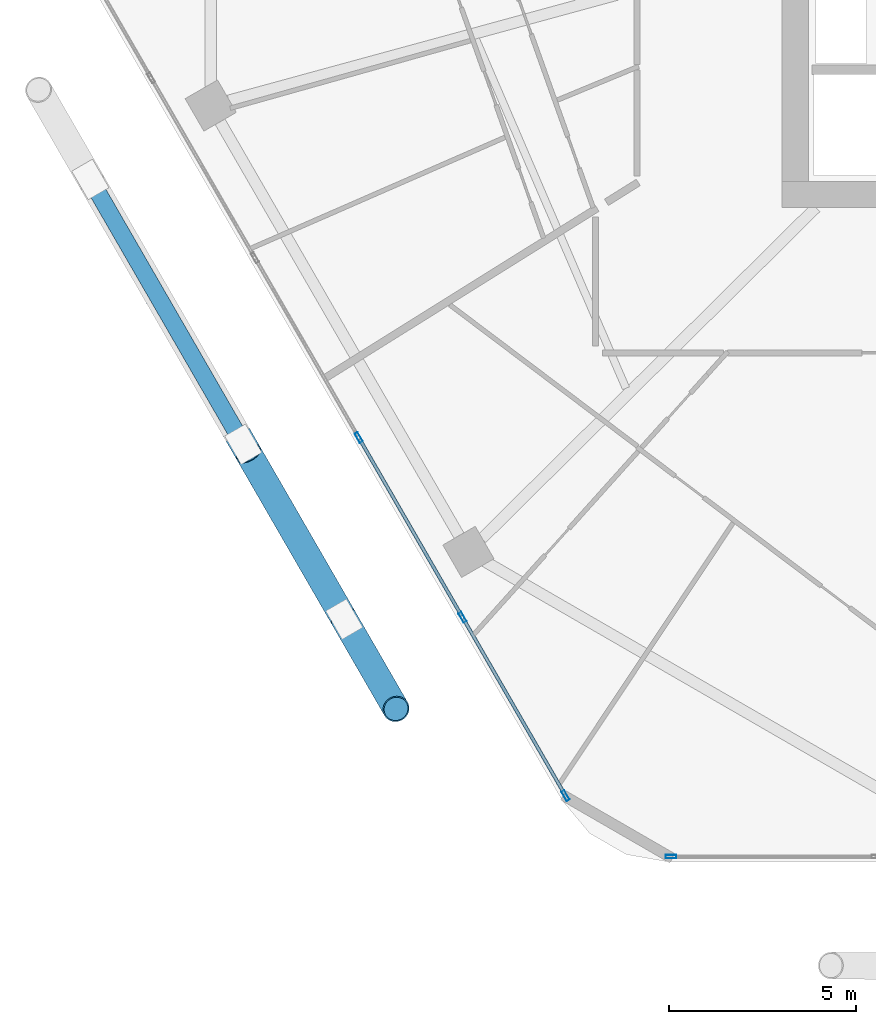
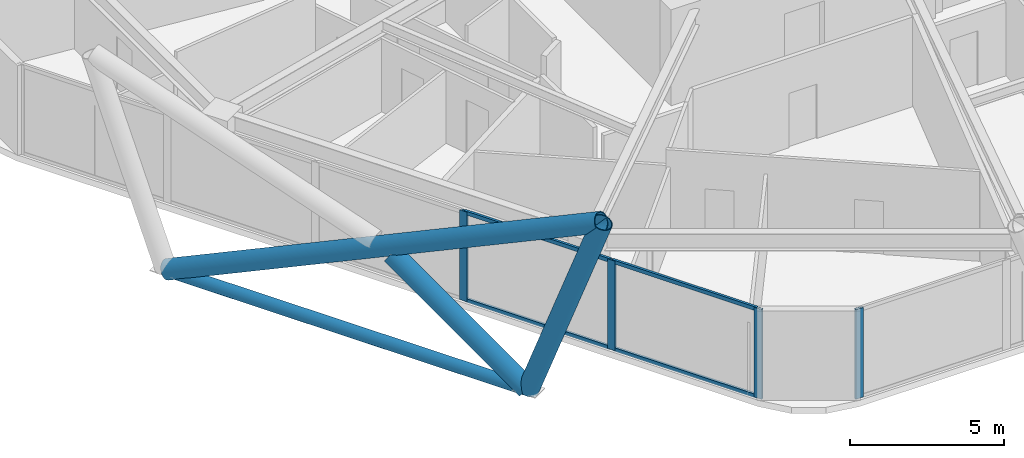
# One storey, part 2 of 28: 12 members, 2 elements without a shape of their own.
"""IFC4 building model written with IfcOpenShell, lengths in metres."""

import ifcopenshell
import ifcopenshell.guid

model = None  # the IFC model being written
_history = None  # IfcOwnerHistory: only IFC2X3 demands one
_inside = {}  # id of a spatial element -> (the spatial element, [elements in it])
_under = {}  # id of a project, library or spatial element -> (it, [spatial elements below it])
_declared = {}  # id of a project -> (the project, [libraries it declares])
_typed = {}  # id of a type object -> (the type object, [elements of that type])
_made_of = {}  # id of a material, layer set ... -> (it, [elements and type objects made of it])


def new_model(schema):
    """Start an empty IFC model of exactly this schema.

    Asked for "IFC4X3", IfcOpenShell would pick the latest addendum, in which some entities
    have other attributes; the version numbers below select the first issue.
    IFC2X3 requires an IfcOwnerHistory on every rooted entity: one is made here for all.
    """
    global model, _history
    if schema == "IFC4X3":
        model = ifcopenshell.file(schema_version=(4, 3, 0, 0))
    else:
        model = ifcopenshell.file(schema=schema)
    _inside.clear()
    _under.clear()
    _declared.clear()
    _typed.clear()
    _made_of.clear()
    _history = None
    if model.schema == "IFC2X3":
        org = make("IfcOrganization", Name="unknown")
        user = make(
            "IfcPersonAndOrganization",
            ThePerson=make("IfcPerson", FamilyName="unknown"),
            TheOrganization=org,
        )
        app = make(
            "IfcApplication",
            ApplicationDeveloper=org,
            Version="unknown",
            ApplicationFullName="unknown",
            ApplicationIdentifier="unknown",
        )
        _history = make(
            "IfcOwnerHistory",
            OwningUser=user,
            OwningApplication=app,
            ChangeAction="ADDED",
            CreationDate=0,
        )
    return model


def make(cls, **values):
    """One entity of the class cls with the attributes given. An attribute that is None is left unset."""
    return model.create_entity(
        cls, **{name: value for name, value in values.items() if value is not None}
    )


def rooted(cls, **values):
    """An entity with a GlobalId (a new one), such as an element, a storey or a relation."""
    return make(cls, GlobalId=ifcopenshell.guid.new(), OwnerHistory=_history, **values)


def si_unit(unit_type, name, prefix=None):
    """IfcSIUnit, for example si_unit("LENGTHUNIT", "METRE", prefix="MILLI")."""
    return make("IfcSIUnit", UnitType=unit_type, Prefix=prefix, Name=name)


def assignment(units):
    """IfcUnitAssignment: the units of a project."""
    return None if units is None else make("IfcUnitAssignment", Units=units)


def point(xyz):
    """IfcCartesianPoint."""
    return None if xyz is None else make("IfcCartesianPoint", Coordinates=xyz)


def direction(xyz):
    """IfcDirection."""
    return None if xyz is None else make("IfcDirection", DirectionRatios=xyz)


def frame(location, z_axis=None, x_axis=None):
    """IfcAxis2Placement3D, a coordinate frame: its origin and axes. An axis left out is left unset."""
    return make(
        "IfcAxis2Placement3D",
        Location=point(location),
        Axis=direction(z_axis),
        RefDirection=direction(x_axis),
    )


def frame_2d(location, x_axis=None):
    """IfcAxis2Placement2D, a coordinate frame in the plane: its origin and x axis."""
    return make(
        "IfcAxis2Placement2D", Location=point(location), RefDirection=direction(x_axis)
    )


def origin():
    """The frame at (0, 0, 0) with its axes left unset."""
    return frame((0.0, 0.0, 0.0))


def origin_2d():
    """The frame at (0, 0) in the plane with its x axis left unset."""
    return frame_2d((0.0, 0.0))


def place(relative_to, where):
    """IfcLocalPlacement: puts the frame where relative to a parent placement (None: the world)."""
    return make(
        "IfcLocalPlacement", PlacementRelTo=relative_to, RelativePlacement=where
    )


def context(
    kind, dimensions, precision=None, world=None, true_north=None, identifier=None
):
    """IfcGeometricRepresentationContext, for example the 3D "Model" context."""
    return make(
        "IfcGeometricRepresentationContext",
        ContextIdentifier=identifier,
        ContextType=kind,
        CoordinateSpaceDimension=dimensions,
        Precision=precision,
        WorldCoordinateSystem=world,
        TrueNorth=true_north,
    )


def subcontext(parent, identifier, kind, view, scale=None):
    """IfcGeometricRepresentationSubContext, for example "Body" below "Model"."""
    return make(
        "IfcGeometricRepresentationSubContext",
        ContextIdentifier=identifier,
        ContextType=kind,
        ParentContext=parent,
        TargetScale=scale,
        TargetView=view,
    )


def project(units=None, contexts=None):
    """IfcProject with its units and contexts."""
    return rooted(
        "IfcProject",
        Name="project",
        RepresentationContexts=contexts,
        UnitsInContext=assignment(units),
    )


def spatial(cls, under=None, at=None, **own):
    """A site, building, storey or space (cls), placed at a placement, below another one or the project."""
    s = rooted(cls, ObjectPlacement=at, **own)
    if under is not None:
        _under.setdefault(under.id(), (under, []))[1].append(s)
    return s


def profile(cls, at=None, kind="AREA", **sizes):
    """A parametric profile (cls). Its sizes go by their IFC names, for example OverallWidth=200.0."""
    return make(cls, ProfileType=kind, Position=at, **sizes)


def hollow_rectangle(**sizes):
    """IfcRectangleHollowProfileDef."""
    return profile("IfcRectangleHollowProfileDef", **sizes)


def hollow_circle(**sizes):
    """IfcCircleHollowProfileDef."""
    return profile("IfcCircleHollowProfileDef", **sizes)


def extrude(swept, where, along, depth):
    """IfcExtrudedAreaSolid: the profile swept, set in the frame where, extruded along a direction by depth."""
    return make(
        "IfcExtrudedAreaSolid",
        SweptArea=swept,
        Position=where,
        ExtrudedDirection=direction(along),
        Depth=depth,
    )


def shape(context_of_items, identifier, shape_type, items):
    """IfcShapeRepresentation: the items that make up one representation, for example the "Body"."""
    return make(
        "IfcShapeRepresentation",
        ContextOfItems=context_of_items,
        RepresentationIdentifier=identifier,
        RepresentationType=shape_type,
        Items=items,
    )


def material(Name=None, Category=None):
    """IfcMaterial."""
    return make("IfcMaterial", Name=Name, Category=Category)


def material_profile(
    of_material, cross_section, Name=None, Category=None, Priority=None
):
    """IfcMaterialProfile: a cross section and its material."""
    return make(
        "IfcMaterialProfile",
        Name=Name,
        Material=of_material,
        Profile=cross_section,
        Priority=Priority,
        Category=Category,
    )


def profile_set(profiles, Name=None, composite=None):
    """IfcMaterialProfileSet."""
    return make(
        "IfcMaterialProfileSet",
        Name=Name,
        MaterialProfiles=profiles,
        CompositeProfile=composite,
    )


def made_of(thing, what):
    """Note that an element or type object is made of a material, layer set ...; save() writes the relation."""
    if what is not None:
        _made_of.setdefault(what.id(), (what, []))[1].append(thing)
    return thing


def type_object(cls, material=None, **own):
    """A type object (cls), such as IfcWallType, which elements share."""
    return made_of(rooted(cls, **own), material)


def element(
    cls,
    number,
    at=None,
    inside=None,
    cuts=None,
    type_object=None,
    material=None,
    context=None,
    identifier="Body",
    shape_type=None,
    held_by="IfcProductDefinitionShape",
    body=None,
    shapes=None,
    **own,
):
    """One element of the class cls, such as IfcWall. Its Tag is "e" and its number.

    at: its placement. inside: the storey or other place that contains it. cuts: it is an
    opening in that element (IfcRelVoidsElement). A single representation is given by context,
    identifier, shape_type and body (its items); several are given by shapes. held_by: the class
    of the entity that holds the representations. save() writes the other relations.
    """
    e = rooted(cls, Tag="e%d" % number, ObjectPlacement=at, **own)
    if body is not None:
        shapes = [shape(context, identifier, shape_type, body)]
    if shapes is not None:
        e.Representation = make(held_by, Representations=shapes)
    if inside is not None:
        _inside.setdefault(inside.id(), (inside, []))[1].append(e)
    if cuts is not None:
        rooted(
            "IfcRelVoidsElement", RelatingBuildingElement=cuts, RelatedOpeningElement=e
        )
    if type_object is not None:
        _typed.setdefault(type_object.id(), (type_object, []))[1].append(e)
    return made_of(e, material)


def aggregate(whole, parts):
    """IfcRelAggregates: a whole, such as a stair, and the parts it consists of."""
    return rooted("IfcRelAggregates", RelatingObject=whole, RelatedObjects=parts)


def save(model, path):
    """Write the relations noted so far, then the file.

    IfcRelAggregates (storeys below a building ...), IfcRelContainedInSpatialStructure (elements
    in a storey), IfcRelDefinesByType, IfcRelAssociatesMaterial and IfcRelDeclares: one each for
    every whole, place, type object, material and project.
    """
    for whole, parts in _under.values():
        aggregate(whole, parts)
    for where, things in _inside.values():
        rooted(
            "IfcRelContainedInSpatialStructure",
            RelatedElements=things,
            RelatingStructure=where,
        )
    for kind, things in _typed.values():
        rooted("IfcRelDefinesByType", RelatedObjects=things, RelatingType=kind)
    for what, things in _made_of.values():
        rooted("IfcRelAssociatesMaterial", RelatedObjects=things, RelatingMaterial=what)
    for by, libraries in _declared.values():
        rooted("IfcRelDeclares", RelatingContext=by, RelatedDefinitions=libraries)
    model.write(path)


model = new_model("IFC4")

# Units and contexts
model_context = context("Model", 3, precision=1e-05, world=origin(), true_north=direction((0.0, 1.0)))
body_context = subcontext(model_context, "Body", "Model", "MODEL_VIEW")
ifc_project = project(units=[si_unit("LENGTHUNIT", "METRE"), si_unit("AREAUNIT", "SQUARE_METRE"), si_unit("VOLUMEUNIT", "CUBIC_METRE"), si_unit("PLANEANGLEUNIT", "RADIAN"), si_unit("MASSUNIT", "GRAM", prefix="KILO")], contexts=[model_context])

# Site, building, storey
site_placement = place(None, origin())
site = spatial("IfcSite", under=ifc_project, at=site_placement, CompositionType="ELEMENT")
building_placement = place(site_placement, origin())
building = spatial("IfcBuilding", under=site, at=building_placement, Name="Zuhravey Tower", CompositionType="ELEMENT")
storey_placement = place(building_placement, frame((0.0, 0.0, 154.199951171875)))
storey = spatial("IfcBuildingStorey", under=building, at=storey_placement, Name="L38", CompositionType="ELEMENT", Elevation=154.199951171875)

# Curtain wall, member
ifc_material_1 = material(Name="Thermally broken anodised aluminium", Category="aluminium")
curtain_wall_type = type_object("IfcCurtainWallType", Name="Zone 1-2 Residential Curtain Wall CW3", PredefinedType="NOTDEFINED", material=ifc_material_1)
curtain_wall_1_placement = place(storey_placement, origin())
curtain_wall_1 = element("IfcCurtainWall", 1, at=curtain_wall_1_placement, inside=storey, type_object=curtain_wall_type, Name="L38 CW3 CW-L38-F5-1", PredefinedType="NOTDEFINED")
ifc_material_2 = material(Name="Anodised aluminium", Category="aluminium")
ifc_material_profile_1 = material_profile(ifc_material_2, hollow_rectangle(XDim=0.090087890625, YDim=0.284912109375, WallThickness=0.0048828125, at=origin_2d()), Name="ALU-RHS-90x285x5")
ifc_profile_set_1 = profile_set([ifc_material_profile_1], Name="Anodised aluminium")
member_type_1 = type_object("IfcMemberType", Name="Curtain-Wall Mullion 90x180", PredefinedType="MULLION", material=ifc_profile_set_1)
member_1_placement = place(storey_placement, frame((22.183837890625, 4.81689453125, 0.0), z_axis=(0.0, 0.0, 1.0), x_axis=(0.0, -1.0, 0.0)))
member_1 = element("IfcMember", 2, at=member_1_placement, type_object=member_type_1, Name="CW3 mullion 6", PredefinedType="MULLION", context=body_context, shape_type="SweptSolid", body=[
    extrude(hollow_rectangle(XDim=0.090087890625, YDim=0.284912109375, WallThickness=0.0048828125, at=origin_2d()), origin(), (0.0, 0.0, 1.0), 3.550048828125),
])
aggregate(curtain_wall_1, [member_1])

# Curtain wall, members
curtain_wall_2_placement = place(storey_placement, origin())
curtain_wall_2 = element("IfcCurtainWall", 3, at=curtain_wall_2_placement, inside=storey, type_object=curtain_wall_type, Name="L38 CW3 CW-L38-F4-1", PredefinedType="NOTDEFINED")
member_2_placement = place(storey_placement, frame((19.36669921875, 6.443359375, 0.0), z_axis=(0.0, 0.0, 1.0), x_axis=(-0.866025138215, -0.500000459979, 0.0)))
member_2 = element("IfcMember", 4, at=member_2_placement, type_object=member_type_1, Name="CW3 mullion 1", PredefinedType="MULLION", context=body_context, shape_type="SweptSolid", body=[
    extrude(hollow_rectangle(XDim=0.090087890625, YDim=0.284912109375, WallThickness=0.0048828125, at=origin_2d()), origin(), (0.0, 0.0, 1.0), 3.550048828125),
])
member_3_placement = place(storey_placement, frame((16.6171875, 11.2060546875, 0.0), z_axis=(0.0, 0.0, 1.0), x_axis=(-0.866025138215, -0.500000459979, 0.0)))
member_3 = element("IfcMember", 5, at=member_3_placement, type_object=member_type_1, Name="CW3 mullion 2", PredefinedType="MULLION", context=body_context, shape_type="SweptSolid", body=[
    extrude(hollow_rectangle(XDim=0.090087890625, YDim=0.284912109375, WallThickness=0.0048828125, at=origin_2d()), origin(), (0.0, 0.0, 1.0), 3.550048828125),
])
member_4_placement = place(storey_placement, frame((13.844970703125, 16.007568359375, 0.0), z_axis=(0.0, 0.0, 1.0), x_axis=(-0.866025138215, -0.500000459979, 0.0)))
member_4 = element("IfcMember", 6, at=member_4_placement, type_object=member_type_1, Name="CW3 mullion 3", PredefinedType="MULLION", context=body_context, shape_type="SweptSolid", body=[
    extrude(hollow_rectangle(XDim=0.090087890625, YDim=0.284912109375, WallThickness=0.0048828125, at=origin_2d()), origin(), (0.0, 0.0, 1.0), 3.550048828125),
])
ifc_material_profile_2 = material_profile(ifc_material_2, hollow_rectangle(XDim=0.090087890625, YDim=0.14990234375, WallThickness=0.0048828125, at=origin_2d()), Name="ALU-RHS-90x150x5")
ifc_profile_set_2 = profile_set([ifc_material_profile_2], Name="Anodised aluminium")
member_type_2 = type_object("IfcMemberType", Name="Curtain-Wall Transom 90x150", PredefinedType="USERDEFINED", material=ifc_profile_set_2)
member_5_placement = place(storey_placement, frame((19.34423828125, 6.482421875, 0.045166015625), z_axis=(-0.499993332629, 0.866029253159, 0.0), x_axis=(-0.866029253159, -0.499993332629, 0.0)))
member_5 = element("IfcMember", 7, at=member_5_placement, type_object=member_type_2, Name="CW3 transom 1.1", ObjectType="TRANSOM", PredefinedType="USERDEFINED", context=body_context, shape_type="SweptSolid", body=[
    extrude(hollow_rectangle(XDim=0.090087890625, YDim=0.14990234375, WallThickness=0.0048828125, at=origin_2d()), origin(), (0.0, 0.0, 1.0), 5.4091796875),
])
member_6_placement = place(storey_placement, frame((19.34423828125, 6.482421875, 3.505126953125), z_axis=(-0.499993332629, 0.866029253159, 0.0), x_axis=(-0.866029253159, -0.499993332629, 0.0)))
member_6 = element("IfcMember", 8, at=member_6_placement, type_object=member_type_2, Name="CW3 transom 1.2", ObjectType="TRANSOM", PredefinedType="USERDEFINED", context=body_context, shape_type="SweptSolid", body=[
    extrude(hollow_rectangle(XDim=0.090087890625, YDim=0.14990234375, WallThickness=0.0048828125, at=origin_2d()), origin(), (0.0, 0.0, 1.0), 5.4091796875),
])
member_7_placement = place(storey_placement, frame((16.594482421875, 11.244873046875, 0.045166015625), z_axis=(-0.49996138257, 0.86604769842, 0.0), x_axis=(-0.86604769842, -0.49996138257, 0.0)))
member_7 = element("IfcMember", 9, at=member_7_placement, type_object=member_type_2, Name="CW3 transom 2.1", ObjectType="TRANSOM", PredefinedType="USERDEFINED", context=body_context, shape_type="SweptSolid", body=[
    extrude(hollow_rectangle(XDim=0.090087890625, YDim=0.14990234375, WallThickness=0.0048828125, at=origin_2d()), origin(), (0.0, 0.0, 1.0), 5.45458984375),
])
member_8_placement = place(storey_placement, frame((16.594482421875, 11.244873046875, 3.505126953125), z_axis=(-0.49996138257, 0.86604769842, 0.0), x_axis=(-0.86604769842, -0.49996138257, 0.0)))
member_8 = element("IfcMember", 10, at=member_8_placement, type_object=member_type_2, Name="CW3 transom 2.2", ObjectType="TRANSOM", PredefinedType="USERDEFINED", context=body_context, shape_type="SweptSolid", body=[
    extrude(hollow_rectangle(XDim=0.090087890625, YDim=0.14990234375, WallThickness=0.0048828125, at=origin_2d()), origin(), (0.0, 0.0, 1.0), 5.45458984375),
])
aggregate(curtain_wall_2, [member_2, member_3, member_4, member_5, member_6, member_7, member_8])

# Members
ifc_material_3 = material(Name="Steel SM355", Category="steel")
ifc_material_profile_3 = material_profile(ifc_material_3, hollow_circle(Radius=0.228515625, WallThickness=0.02197265625, at=origin_2d()), Name="CHS-457.2x22")
ifc_profile_set_3 = profile_set([ifc_material_profile_3], Name="Steel SM355")
member_type_3 = type_object("IfcMemberType", Name="Exoskeleton Ring Tie CHS457x22", PredefinedType="CHORD", material=ifc_profile_set_3)
member_9_placement = place(storey_placement, frame((6.748046875, 22.779541015625, -0.4638671875), z_axis=(0.500004091344, -0.866023041633, 0.0), x_axis=(0.866023041633, 0.500004091344, 0.0)))
element("IfcMember", 11, at=member_9_placement, inside=storey, type_object=member_type_3, Name="L38 Exoskeleton Face 4 Tie EXR1", PredefinedType="CHORD", context=body_context, shape_type="SweptSolid", body=[
    extrude(hollow_circle(Radius=0.228515625, WallThickness=0.02197265625, at=origin_2d()), origin(), (0.0, 0.0, 1.0), 13.28173828125),
])
ifc_material_4 = material(Name="Steel SM460", Category="steel")
ifc_material_profile_4 = material_profile(ifc_material_4, hollow_circle(Radius=0.355712890625, WallThickness=0.031982421875, at=origin_2d()), Name="CHS-711.2x32")
ifc_profile_set_4 = profile_set([ifc_material_profile_4], Name="Steel SM460")
member_type_4 = type_object("IfcMemberType", Name="Exoskeleton Zone 2 Diagrid CHS711x32", PredefinedType="BRACE", material=ifc_profile_set_4)
member_10_placement = place(storey_placement, frame((6.699462890625, 22.86376953125, -0.44384765625), z_axis=(0.453340993402, -0.785214389504, 0.42180600543), x_axis=(0.866026715089, 0.499997728747, 0.0)))
element("IfcMember", 12, at=member_10_placement, inside=storey, type_object=member_type_4, Name="L38 Face 4 Diagrid Brace 2", PredefinedType="BRACE", context=body_context, shape_type="SweptSolid", body=[
    extrude(hollow_circle(Radius=0.355712890625, WallThickness=0.031982421875, at=origin_2d()), origin(), (0.0, 0.0, 1.0), 17.922607421875),
])
member_11_placement = place(storey_placement, frame((13.462646484375, 11.149658203125, -0.44384765625), z_axis=(0.171433802544, -0.296937543674, 0.939382002437), x_axis=(0.866029404905, 0.499993069792, 0.0)))
element("IfcMember", 13, at=member_11_placement, inside=storey, type_object=member_type_4, Name="L38 Face 4 Diagrid Brace 4", PredefinedType="BRACE", context=body_context, shape_type="SweptSolid", body=[
    extrude(hollow_circle(Radius=0.355712890625, WallThickness=0.031982421875, at=origin_2d()), origin(), (0.0, 0.0, 1.0), 8.047607421875),
])
member_12_placement = place(storey_placement, frame((13.439697265625, 11.189453125, -0.4365234375), z_axis=(-0.408763302691, 0.707987955397, 0.575904173788), x_axis=(-0.866022084834, -0.500005748546, 0.0)))
element("IfcMember", 14, at=member_12_placement, inside=storey, type_object=member_type_4, Name="L38 Face 4 Split Diagrid Brace 3A", PredefinedType="BRACE", context=body_context, shape_type="SweptSolid", body=[
    extrude(hollow_circle(Radius=0.355712890625, WallThickness=0.031982421875, at=origin_2d()), origin(), (0.0, 0.0, 1.0), 6.205078125),
])

save(model, "model.ifc")
